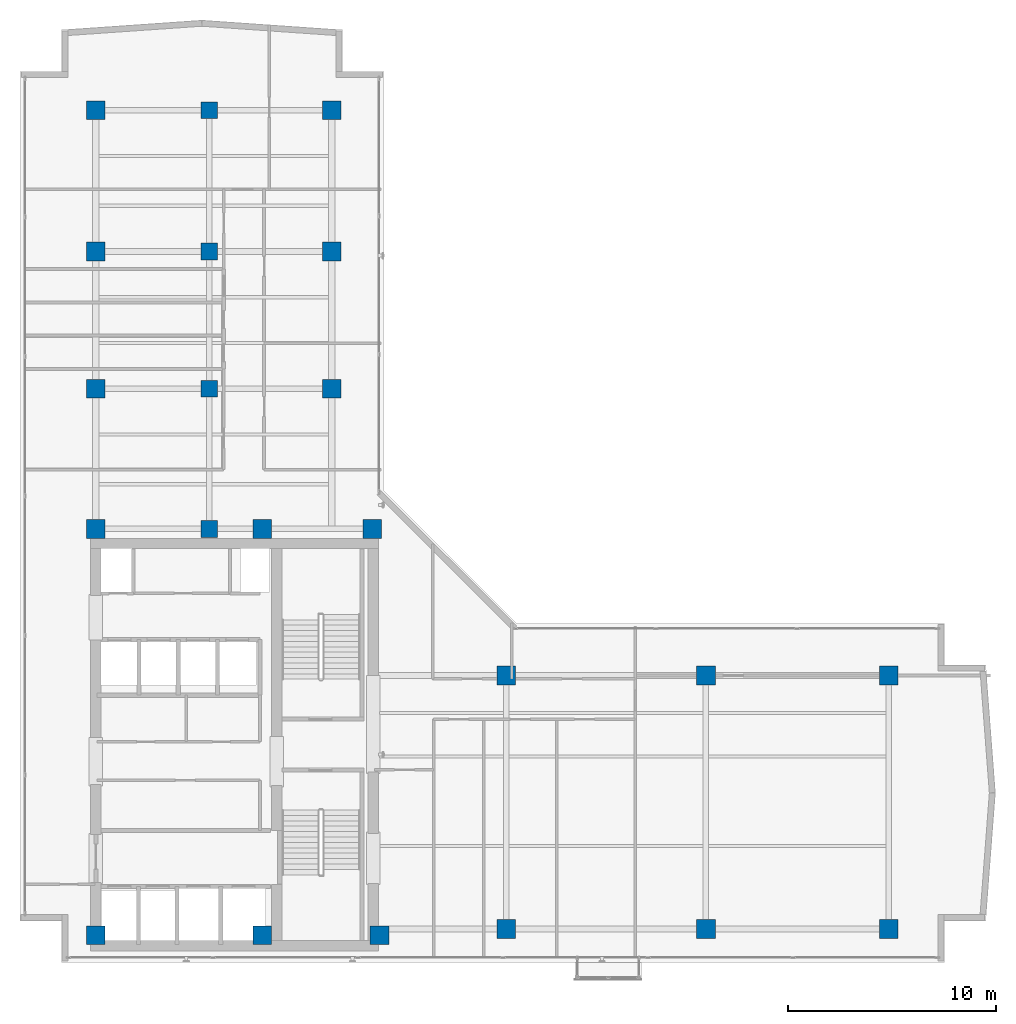
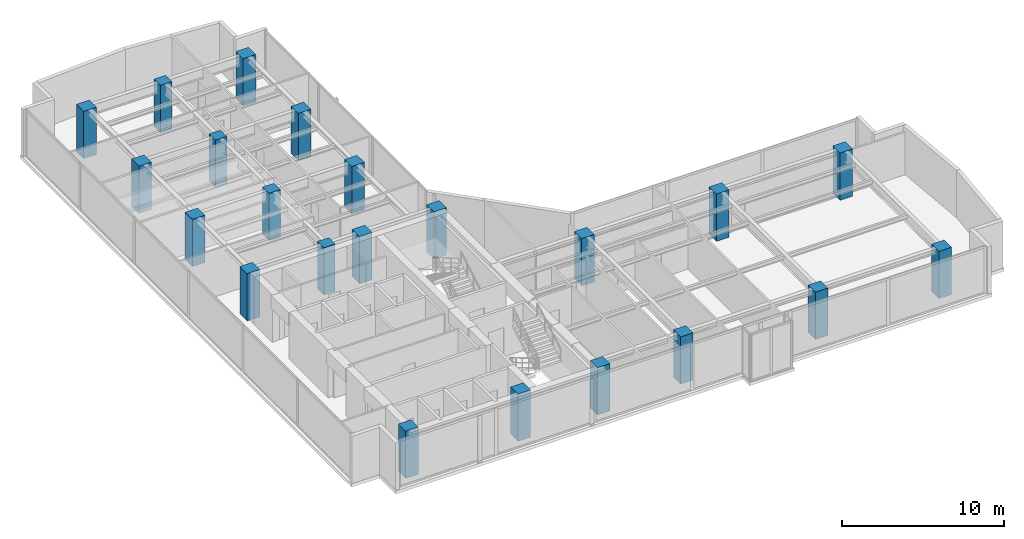
# One storey, part 1 of 23: 22 columns.
"""IFC4 building model written with IfcOpenShell, lengths in metres."""

from ifc_helpers import new_model, si_unit, direction, frame, origin, origin_2d, place, context, subcontext, project, spatial, rectangle, extrude, material, material_profile, profile_set, type_object, element, save


model = new_model("IFC4")

# Units and contexts
model_context = context("Model", 3, precision=1e-05, world=origin(), true_north=direction((0.0, 1.0)))
body_context = subcontext(model_context, "Body", "Model", "MODEL_VIEW")
ifc_project = project(units=[si_unit("LENGTHUNIT", "METRE"), si_unit("AREAUNIT", "SQUARE_METRE"), si_unit("VOLUMEUNIT", "CUBIC_METRE"), si_unit("PLANEANGLEUNIT", "RADIAN"), si_unit("MASSUNIT", "GRAM", prefix="KILO")], contexts=[model_context])

# Site, building, storey
site_placement = place(None, origin())
site = spatial("IfcSite", under=ifc_project, at=site_placement, CompositionType="ELEMENT")
building_placement = place(site_placement, origin())
building = spatial("IfcBuilding", under=site, at=building_placement, Name="Kolvaren Waterfront Exchange", CompositionType="ELEMENT")
storey_placement = place(building_placement, frame((0.0, 0.0, 297.0)))
storey = spatial("IfcBuildingStorey", under=building, at=storey_placement, Name="L76", CompositionType="ELEMENT", Elevation=297.0)

# Columns
ifc_material = material(Name="Concrete C50/60", Category="concrete")
ifc_material_profile_1 = material_profile(ifc_material, rectangle(XDim=0.800048828125, YDim=0.800048828125, at=origin_2d()), Name="RC-COL-800x800")
ifc_profile_set_1 = profile_set([ifc_material_profile_1], Name="Concrete C50/60")
column_type_1 = type_object("IfcColumnType", Name="STR-COL-800-C50", PredefinedType="COLUMN", material=ifc_profile_set_1)
for number, where, z_axis, x_axis, name in (
    (1, (12.89990234375, 24.449951171875, 0.0), (0.0, 0.0, 1.0), (1.0, 0.0, 0.0), "L76 column TC01"),
    (2, (12.89990234375, 31.199951171875, 0.0), (0.0, 0.0, 1.0), (1.0, 0.0, 0.0), "L76 column TC02"),
    (3, (12.89990234375, 37.800048828125, 0.0), (0.0, 0.0, 1.0), (1.0, 0.0, 0.0), "L76 column TC03"),
    (4, (12.89990234375, 44.60009765625, 0.0), (0.0, 0.0, 1.0), (1.0, 0.0, 0.0), "L76 column TC04"),
):
    element("IfcColumn", number, at=place(storey_placement, frame(where, z_axis=z_axis, x_axis=x_axis)), inside=storey, type_object=column_type_1, Name=name, PredefinedType="COLUMN", context=body_context, shape_type="SweptSolid", body=[
        extrude(rectangle(XDim=0.800048828125, YDim=0.800048828125, at=origin_2d()), origin(), (0.0, 0.0, 1.0), 3.56005859375),
    ])
ifc_material_profile_2 = material_profile(ifc_material, rectangle(XDim=0.89990234375, YDim=0.89990234375, at=origin_2d()), Name="RC-COL-900x900")
ifc_profile_set_2 = profile_set([ifc_material_profile_2], Name="Concrete C50/60")
column_type_2 = type_object("IfcColumnType", Name="STR-COL-900-C50", PredefinedType="COLUMN", material=ifc_profile_set_2)
for number, where, z_axis, x_axis, name in (
    (5, (7.449951171875, 4.89990234375, 0.0), (0.0, 0.0, 1.0), (1.0, 0.0, 0.0), "L76 column MC01"),
    (6, (15.449951171875, 4.89990234375, 0.0), (0.0, 0.0, 1.0), (1.0, 0.0, 0.0), "L76 column MC02"),
    (7, (21.10009765625, 4.89990234375, 0.0), (0.0, 0.0, 1.0), (1.0, 0.0, 0.0), "L76 column MC03"),
    (8, (7.449951171875, 24.449951171875, 0.0), (0.0, 0.0, 1.0), (1.0, 0.0, 0.0), "L76 column MC04"),
    (9, (15.449951171875, 24.449951171875, 0.0), (0.0, 0.0, 1.0), (1.0, 0.0, 0.0), "L76 column MC05"),
    (10, (20.75, 24.449951171875, 0.0), (0.0, 0.0, 1.0), (1.0, 0.0, 0.0), "L76 column MC06"),
    (11, (7.449951171875, 31.199951171875, 0.0), (0.0, 0.0, 1.0), (1.0, 0.0, 0.0), "L76 column NC01"),
    (12, (7.449951171875, 37.800048828125, 0.0), (0.0, 0.0, 1.0), (1.0, 0.0, 0.0), "L76 column NC02"),
    (13, (7.449951171875, 44.60009765625, 0.0), (0.0, 0.0, 1.0), (1.0, 0.0, 0.0), "L76 column NC03"),
    (14, (18.800048828125, 31.199951171875, 0.0), (0.0, 0.0, 1.0), (1.0, 0.0, 0.0), "L76 column NC04"),
    (15, (18.800048828125, 37.800048828125, 0.0), (0.0, 0.0, 1.0), (1.0, 0.0, 0.0), "L76 column NC05"),
    (16, (18.800048828125, 44.60009765625, 0.0), (0.0, 0.0, 1.0), (1.0, 0.0, 0.0), "L76 column NC06"),
    (17, (27.199951171875, 5.199951171875, 0.0), (0.0, 0.0, 1.0), (1.0, 0.0, 0.0), "L76 column EC01"),
    (18, (36.800048828125, 5.199951171875, 0.0), (0.0, 0.0, 1.0), (1.0, 0.0, 0.0), "L76 column EC02"),
    (19, (45.60009765625, 5.199951171875, 0.0), (0.0, 0.0, 1.0), (1.0, 0.0, 0.0), "L76 column EC03"),
    (20, (27.199951171875, 17.39990234375, 0.0), (0.0, 0.0, 1.0), (1.0, 0.0, 0.0), "L76 column EC04"),
    (21, (36.800048828125, 17.39990234375, 0.0), (0.0, 0.0, 1.0), (1.0, 0.0, 0.0), "L76 column EC05"),
    (22, (45.60009765625, 17.39990234375, 0.0), (0.0, 0.0, 1.0), (1.0, 0.0, 0.0), "L76 column EC06"),
):
    element("IfcColumn", number, at=place(storey_placement, frame(where, z_axis=z_axis, x_axis=x_axis)), inside=storey, type_object=column_type_2, Name=name, PredefinedType="COLUMN", context=body_context, shape_type="SweptSolid", body=[
        extrude(rectangle(XDim=0.89990234375, YDim=0.89990234375, at=origin_2d()), origin(), (0.0, 0.0, 1.0), 3.56005859375),
    ])

save(model, "model.ifc")
